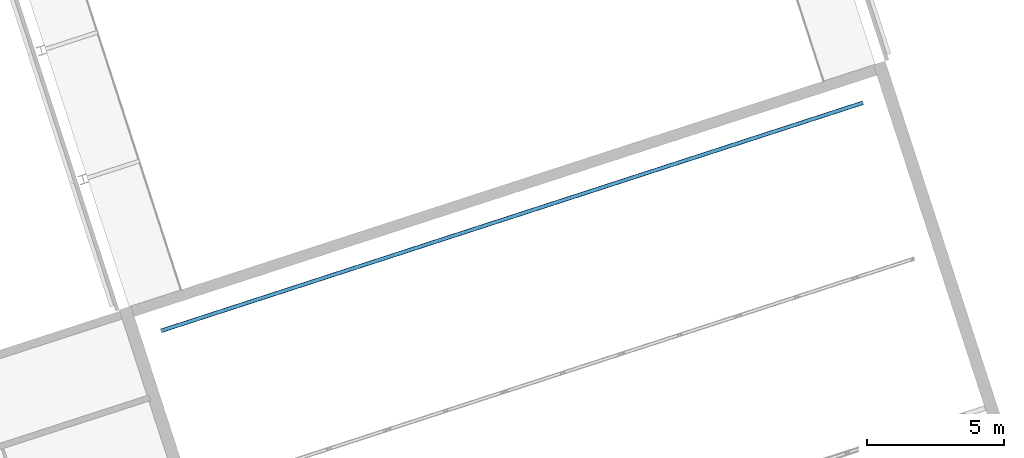
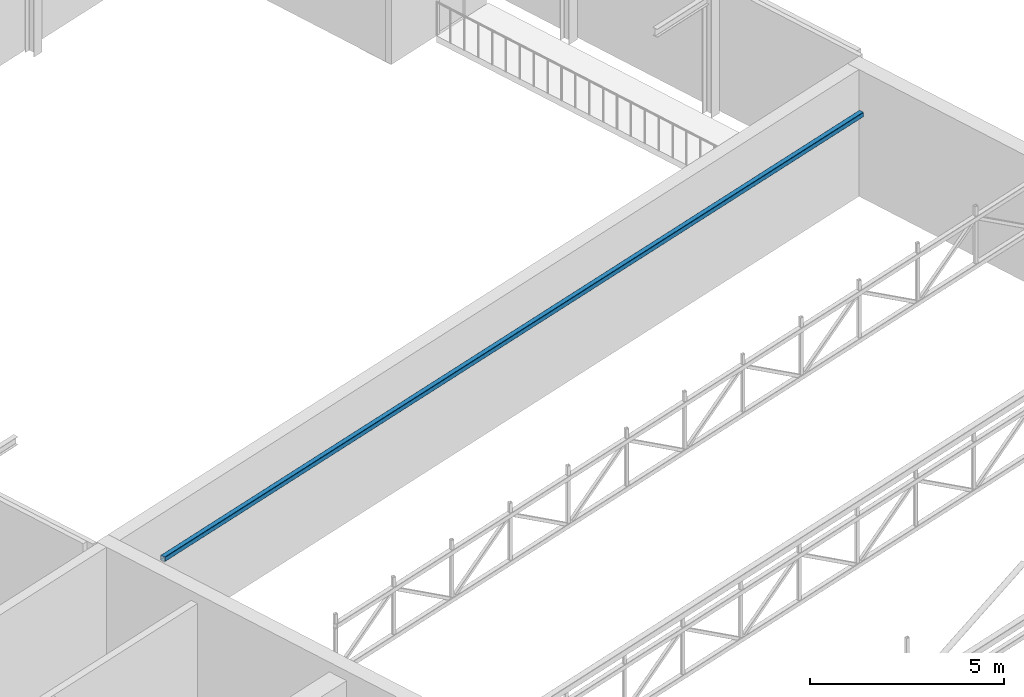
# One storey, part 24 of 81: 1 member.
"""IFC4 building model written with IfcOpenShell, lengths in metres."""

from ifc_helpers import new_model, si_unit, direction, frame, origin, origin_2d, place, context, subcontext, project, spatial, hollow_rectangle, extrude, material, material_profile, profile_set, type_object, element, save


model = new_model("IFC4")

# Units and contexts
model_context = context("Model", 3, precision=1e-05, world=origin(), true_north=direction((0.0, 1.0)))
body_context = subcontext(model_context, "Body", "Model", "MODEL_VIEW")
ifc_project = project(units=[si_unit("LENGTHUNIT", "METRE"), si_unit("AREAUNIT", "SQUARE_METRE"), si_unit("VOLUMEUNIT", "CUBIC_METRE"), si_unit("PLANEANGLEUNIT", "RADIAN"), si_unit("MASSUNIT", "GRAM", prefix="KILO")], contexts=[model_context])

# Site, building, storey
site_placement = place(None, origin())
site = spatial("IfcSite", under=ifc_project, at=site_placement, CompositionType="ELEMENT")
building_placement = place(site_placement, origin())
building = spatial("IfcBuilding", under=site, at=building_placement, Name="Tuart Plaza Theatre", CompositionType="ELEMENT")
storey_placement = place(building_placement, frame((0.0, 0.0, 17.5)))
storey = spatial("IfcBuildingStorey", under=building, at=storey_placement, Name="L04", CompositionType="ELEMENT", Elevation=17.5)

# Member
ifc_material = material(Name="Steel Grade C350L0", Category="steel")
ifc_material_profile = material_profile(ifc_material, hollow_rectangle(XDim=0.14990234375, YDim=0.14990234375, WallThickness=0.009033203125, InnerFilletRadius=0.009033203125, OuterFilletRadius=0.01806640625, at=origin_2d()), Name="150x150x9 SHS")
ifc_profile_set = profile_set([ifc_material_profile], Name="Steel Grade C350L0")
member_type = type_object("IfcMemberType", Name="MEMBER Chord 150x150x9 SHS", PredefinedType="CHORD", material=ifc_profile_set)
member_placement = place(storey_placement, frame((42.607666015625, 67.987548828125, 3.40087890625), z_axis=(0.951057078917, 0.309015262799, 0.0), x_axis=(-0.309015262799, 0.951057078917, 0.0)))
element("IfcMember", 1, at=member_placement, inside=storey, type_object=member_type, Name="CH34", PredefinedType="CHORD", context=body_context, shape_type="SweptSolid", body=[
    extrude(hollow_rectangle(XDim=0.14990234375, YDim=0.14990234375, WallThickness=0.009033203125, InnerFilletRadius=0.009033203125, OuterFilletRadius=0.01806640625, at=origin_2d()), origin(), (0.0, 0.0, 1.0), 26.97509765625),
])

save(model, "model.ifc")
